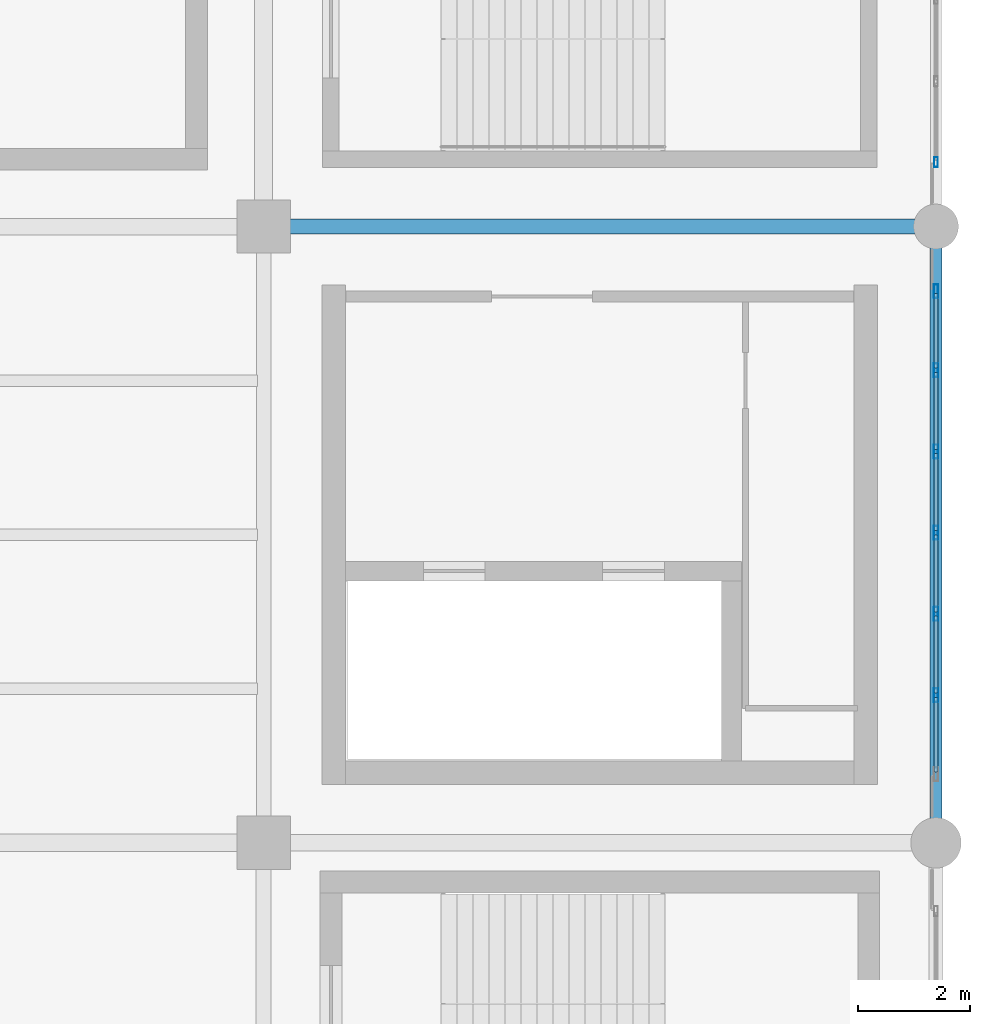
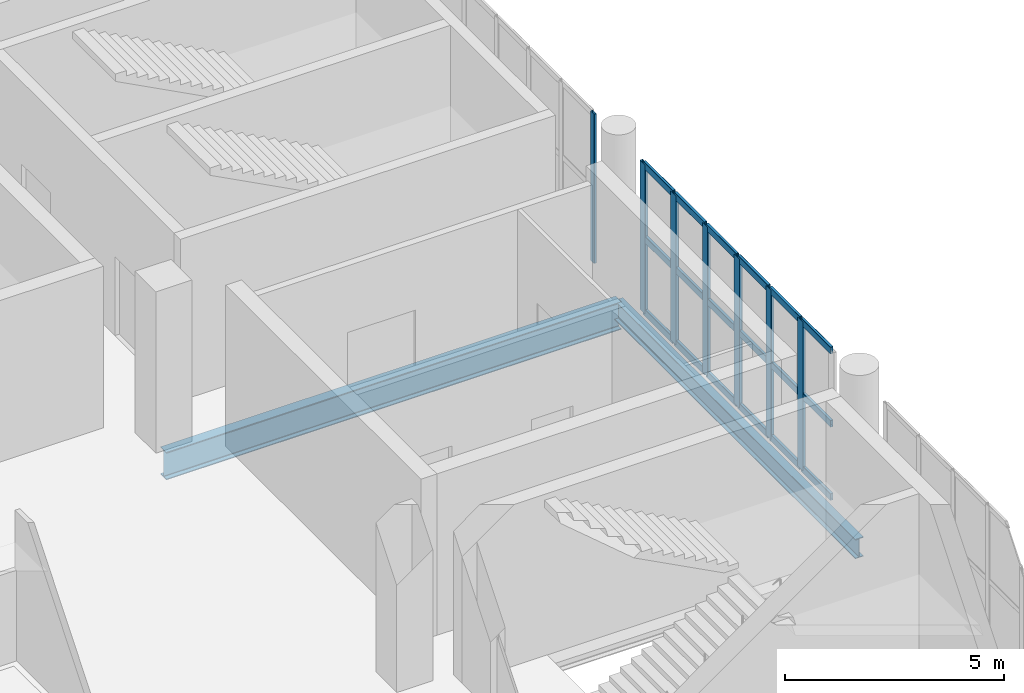
# One storey, part 43 of 90: 25 members, 2 beams, 2 elements without a shape of their own.
"""IFC4 building model written with IfcOpenShell, lengths in metres."""

from ifc_helpers import new_model, si_unit, direction, frame, origin, origin_2d, place, context, subcontext, project, spatial, hollow_rectangle, i_section, extrude, material, layer, layer_set, material_profile, profile_set, type_object, element, aggregate, save


model = new_model("IFC4")

# Units and contexts
model_context = context("Model", 3, precision=1e-05, world=origin(), true_north=direction((0.0, 1.0)))
body_context = subcontext(model_context, "Body", "Model", "MODEL_VIEW")
ifc_project = project(units=[si_unit("LENGTHUNIT", "METRE"), si_unit("AREAUNIT", "SQUARE_METRE"), si_unit("VOLUMEUNIT", "CUBIC_METRE"), si_unit("PLANEANGLEUNIT", "RADIAN"), si_unit("MASSUNIT", "GRAM", prefix="KILO")], contexts=[model_context])

# Site, building, storey
site_placement = place(None, origin())
site = spatial("IfcSite", under=ifc_project, at=site_placement, CompositionType="ELEMENT")
building_placement = place(site_placement, origin())
building = spatial("IfcBuilding", under=site, at=building_placement, Name="Brinegate Civic Arena", CompositionType="ELEMENT")
storey_placement = place(building_placement, frame((0.0, 0.0, 14.699951171875)))
storey = spatial("IfcBuildingStorey", under=building, at=storey_placement, Name="L03", CompositionType="ELEMENT", Elevation=14.699951171875)

# Curtain wall, member
ifc_material_1 = material(Name="Marine grade aluminium", Category="aluminium")
ifc_layer = layer(ifc_material_1, 0.199951171875, Name="Marine grade aluminium")
ifc_layer_set = layer_set([ifc_layer], Name="Marine grade aluminium")
curtain_wall_type = type_object("IfcCurtainWallType", Name="CW-BOWL-GLAZED-01", PredefinedType="USERDEFINED", material=ifc_layer_set)
curtain_wall_1_placement = place(storey_placement, origin())
curtain_wall_1 = element("IfcCurtainWall", 1, at=curtain_wall_1_placement, inside=storey, type_object=curtain_wall_type, Name="Curtain Wall CWA-120", ObjectType="GLAZED CURTAIN WALL", PredefinedType="USERDEFINED")
ifc_material_profile_1 = material_profile(ifc_material_1, hollow_rectangle(XDim=0.06494140625, YDim=0.179931640625, WallThickness=0.0048828125, InnerFilletRadius=0.00390625, OuterFilletRadius=0.008056640625, at=origin_2d()), Name="MUL65X180")
ifc_profile_set_1 = profile_set([ifc_material_profile_1], Name="Marine grade aluminium")
member_type_1 = type_object("IfcMemberType", Name="CW-MULLION-65X180", PredefinedType="MULLION", material=ifc_profile_set_1)
member_1_placement = place(storey_placement, frame((168.0, 94.1484375, 0.0), z_axis=(0.0, 0.0, 1.0), x_axis=(-1.0, 0.0, 0.0)))
member_1 = element("IfcMember", 2, at=member_1_placement, type_object=member_type_1, Name="CWA-120 mullion 1", PredefinedType="MULLION", context=body_context, shape_type="SweptSolid", body=[
    extrude(hollow_rectangle(XDim=0.06494140625, YDim=0.179931640625, WallThickness=0.0048828125, InnerFilletRadius=0.00390625, OuterFilletRadius=0.008056640625, at=origin_2d()), origin(), (0.0, 0.0, 1.0), 4.16015625),
])
aggregate(curtain_wall_1, [member_1])

# Curtain wall, members
curtain_wall_2_placement = place(storey_placement, origin())
curtain_wall_2 = element("IfcCurtainWall", 3, at=curtain_wall_2_placement, inside=storey, type_object=curtain_wall_type, Name="Curtain Wall CWA-118", ObjectType="GLAZED CURTAIN WALL", PredefinedType="USERDEFINED")
ifc_material_profile_2 = material_profile(ifc_material_1, hollow_rectangle(XDim=0.074951171875, YDim=0.25, WallThickness=0.006103515625, InnerFilletRadius=0.00390625, OuterFilletRadius=0.008056640625, at=origin_2d()), Name="MUL75X250")
ifc_profile_set_2 = profile_set([ifc_material_profile_2], Name="Marine grade aluminium")
member_type_2 = type_object("IfcMemberType", Name="CW-MULLION-75X250", PredefinedType="MULLION", material=ifc_profile_set_2)
member_2_placement = place(storey_placement, frame((168.0, 84.6357421875, 0.0), z_axis=(0.0, 0.0, 1.0), x_axis=(-1.0, 0.0, 0.0)))
member_2 = element("IfcMember", 4, at=member_2_placement, type_object=member_type_2, Name="CWA-118 mullion 2", PredefinedType="MULLION", context=body_context, shape_type="SweptSolid", body=[
    extrude(hollow_rectangle(XDim=0.074951171875, YDim=0.25, WallThickness=0.006103515625, InnerFilletRadius=0.00390625, OuterFilletRadius=0.008056640625, at=origin_2d()), origin(), (0.0, 0.0, 1.0), 4.16015625),
])
member_3_placement = place(storey_placement, frame((168.0, 86.08544921875, 0.0), z_axis=(0.0, 0.0, 1.0), x_axis=(-1.0, 0.0, 0.0)))
member_3 = element("IfcMember", 5, at=member_3_placement, type_object=member_type_2, Name="CWA-118 mullion 3", PredefinedType="MULLION", context=body_context, shape_type="SweptSolid", body=[
    extrude(hollow_rectangle(XDim=0.074951171875, YDim=0.25, WallThickness=0.006103515625, InnerFilletRadius=0.00390625, OuterFilletRadius=0.008056640625, at=origin_2d()), origin(), (0.0, 0.0, 1.0), 4.16015625),
])
member_4_placement = place(storey_placement, frame((168.0, 87.534912109375, 0.0), z_axis=(0.0, 0.0, 1.0), x_axis=(-1.0, 0.0, 0.0)))
member_4 = element("IfcMember", 6, at=member_4_placement, type_object=member_type_2, Name="CWA-118 mullion 4", PredefinedType="MULLION", context=body_context, shape_type="SweptSolid", body=[
    extrude(hollow_rectangle(XDim=0.074951171875, YDim=0.25, WallThickness=0.006103515625, InnerFilletRadius=0.00390625, OuterFilletRadius=0.008056640625, at=origin_2d()), origin(), (0.0, 0.0, 1.0), 4.16015625),
])
member_5_placement = place(storey_placement, frame((168.0, 88.984619140625, 0.0), z_axis=(0.0, 0.0, 1.0), x_axis=(-1.0, 0.0, 0.0)))
member_5 = element("IfcMember", 7, at=member_5_placement, type_object=member_type_2, Name="CWA-118 mullion 5", PredefinedType="MULLION", context=body_context, shape_type="SweptSolid", body=[
    extrude(hollow_rectangle(XDim=0.074951171875, YDim=0.25, WallThickness=0.006103515625, InnerFilletRadius=0.00390625, OuterFilletRadius=0.008056640625, at=origin_2d()), origin(), (0.0, 0.0, 1.0), 4.16015625),
])
member_6_placement = place(storey_placement, frame((168.0, 90.434326171875, 0.0), z_axis=(0.0, 0.0, 1.0), x_axis=(-1.0, 0.0, 0.0)))
member_6 = element("IfcMember", 8, at=member_6_placement, type_object=member_type_2, Name="CWA-118 mullion 6", PredefinedType="MULLION", context=body_context, shape_type="SweptSolid", body=[
    extrude(hollow_rectangle(XDim=0.074951171875, YDim=0.25, WallThickness=0.006103515625, InnerFilletRadius=0.00390625, OuterFilletRadius=0.008056640625, at=origin_2d()), origin(), (0.0, 0.0, 1.0), 4.16015625),
])
member_7_placement = place(storey_placement, frame((168.0, 91.846435546875, 0.0), z_axis=(0.0, 0.0, 1.0), x_axis=(-1.0, 0.0, 0.0)))
member_7 = element("IfcMember", 9, at=member_7_placement, type_object=member_type_2, Name="CWA-118 mullion 7", PredefinedType="MULLION", context=body_context, shape_type="SweptSolid", body=[
    extrude(hollow_rectangle(XDim=0.074951171875, YDim=0.25, WallThickness=0.006103515625, InnerFilletRadius=0.00390625, OuterFilletRadius=0.008056640625, at=origin_2d()), origin(), (0.0, 0.0, 1.0), 4.16015625),
])
ifc_material_profile_3 = material_profile(ifc_material_1, hollow_rectangle(XDim=0.074951171875, YDim=0.18994140625, WallThickness=0.006103515625, InnerFilletRadius=0.00390625, OuterFilletRadius=0.008056640625, at=origin_2d()), Name="TRN75X190")
ifc_profile_set_3 = profile_set([ifc_material_profile_3], Name="Marine grade aluminium")
member_type_3 = type_object("IfcMemberType", Name="CW-TRANSOM-75X190", PredefinedType="USERDEFINED", material=ifc_profile_set_3)
member_8_placement = place(storey_placement, frame((168.0, 83.260986328125, 0.03759765625), z_axis=(0.0, 1.0, 0.0), x_axis=(-1.0, 0.0, 0.0)))
member_8 = element("IfcMember", 10, at=member_8_placement, type_object=member_type_3, Name="CWA-118 transom 1.1", ObjectType="TRANSOM", PredefinedType="USERDEFINED", context=body_context, shape_type="SweptSolid", body=[
    extrude(hollow_rectangle(XDim=0.074951171875, YDim=0.18994140625, WallThickness=0.006103515625, InnerFilletRadius=0.00390625, OuterFilletRadius=0.008056640625, at=origin_2d()), origin(), (0.0, 0.0, 1.0), 1.337158203125),
])
member_9_placement = place(storey_placement, frame((168.0, 83.260986328125, 2.080078125), z_axis=(0.0, 1.0, 0.0), x_axis=(-1.0, 0.0, 0.0)))
member_9 = element("IfcMember", 11, at=member_9_placement, type_object=member_type_3, Name="CWA-118 transom 1.2", ObjectType="TRANSOM", PredefinedType="USERDEFINED", context=body_context, shape_type="SweptSolid", body=[
    extrude(hollow_rectangle(XDim=0.074951171875, YDim=0.18994140625, WallThickness=0.006103515625, InnerFilletRadius=0.00390625, OuterFilletRadius=0.008056640625, at=origin_2d()), origin(), (0.0, 0.0, 1.0), 1.337158203125),
])
member_10_placement = place(storey_placement, frame((168.0, 83.260986328125, 4.12255859375), z_axis=(0.0, 1.0, 0.0), x_axis=(-1.0, 0.0, 0.0)))
member_10 = element("IfcMember", 12, at=member_10_placement, type_object=member_type_3, Name="CWA-118 transom 1.3", ObjectType="TRANSOM", PredefinedType="USERDEFINED", context=body_context, shape_type="SweptSolid", body=[
    extrude(hollow_rectangle(XDim=0.074951171875, YDim=0.18994140625, WallThickness=0.006103515625, InnerFilletRadius=0.00390625, OuterFilletRadius=0.008056640625, at=origin_2d()), origin(), (0.0, 0.0, 1.0), 1.337158203125),
])
member_11_placement = place(storey_placement, frame((168.0, 84.673095703125, 0.03759765625), z_axis=(0.0, 1.0, 0.0), x_axis=(-1.0, 0.0, 0.0)))
member_11 = element("IfcMember", 13, at=member_11_placement, type_object=member_type_3, Name="CWA-118 transom 2.1", ObjectType="TRANSOM", PredefinedType="USERDEFINED", context=body_context, shape_type="SweptSolid", body=[
    extrude(hollow_rectangle(XDim=0.074951171875, YDim=0.18994140625, WallThickness=0.006103515625, InnerFilletRadius=0.00390625, OuterFilletRadius=0.008056640625, at=origin_2d()), origin(), (0.0, 0.0, 1.0), 1.374755859375),
])
member_12_placement = place(storey_placement, frame((168.0, 84.673095703125, 2.080078125), z_axis=(0.0, 1.0, 0.0), x_axis=(-1.0, 0.0, 0.0)))
member_12 = element("IfcMember", 14, at=member_12_placement, type_object=member_type_3, Name="CWA-118 transom 2.2", ObjectType="TRANSOM", PredefinedType="USERDEFINED", context=body_context, shape_type="SweptSolid", body=[
    extrude(hollow_rectangle(XDim=0.074951171875, YDim=0.18994140625, WallThickness=0.006103515625, InnerFilletRadius=0.00390625, OuterFilletRadius=0.008056640625, at=origin_2d()), origin(), (0.0, 0.0, 1.0), 1.374755859375),
])
member_13_placement = place(storey_placement, frame((168.0, 84.673095703125, 4.12255859375), z_axis=(0.0, 1.0, 0.0), x_axis=(-1.0, 0.0, 0.0)))
member_13 = element("IfcMember", 15, at=member_13_placement, type_object=member_type_3, Name="CWA-118 transom 2.3", ObjectType="TRANSOM", PredefinedType="USERDEFINED", context=body_context, shape_type="SweptSolid", body=[
    extrude(hollow_rectangle(XDim=0.074951171875, YDim=0.18994140625, WallThickness=0.006103515625, InnerFilletRadius=0.00390625, OuterFilletRadius=0.008056640625, at=origin_2d()), origin(), (0.0, 0.0, 1.0), 1.374755859375),
])
member_14_placement = place(storey_placement, frame((168.0, 86.122802734375, 0.03759765625), z_axis=(0.0, 1.0, 0.0), x_axis=(-1.0, 0.0, 0.0)))
member_14 = element("IfcMember", 16, at=member_14_placement, type_object=member_type_3, Name="CWA-118 transom 3.1", ObjectType="TRANSOM", PredefinedType="USERDEFINED", context=body_context, shape_type="SweptSolid", body=[
    extrude(hollow_rectangle(XDim=0.074951171875, YDim=0.18994140625, WallThickness=0.006103515625, InnerFilletRadius=0.00390625, OuterFilletRadius=0.008056640625, at=origin_2d()), origin(), (0.0, 0.0, 1.0), 1.374755859375),
])
member_15_placement = place(storey_placement, frame((168.0, 86.122802734375, 2.080078125), z_axis=(0.0, 1.0, 0.0), x_axis=(-1.0, 0.0, 0.0)))
member_15 = element("IfcMember", 17, at=member_15_placement, type_object=member_type_3, Name="CWA-118 transom 3.2", ObjectType="TRANSOM", PredefinedType="USERDEFINED", context=body_context, shape_type="SweptSolid", body=[
    extrude(hollow_rectangle(XDim=0.074951171875, YDim=0.18994140625, WallThickness=0.006103515625, InnerFilletRadius=0.00390625, OuterFilletRadius=0.008056640625, at=origin_2d()), origin(), (0.0, 0.0, 1.0), 1.374755859375),
])
member_16_placement = place(storey_placement, frame((168.0, 86.122802734375, 4.12255859375), z_axis=(0.0, 1.0, 0.0), x_axis=(-1.0, 0.0, 0.0)))
member_16 = element("IfcMember", 18, at=member_16_placement, type_object=member_type_3, Name="CWA-118 transom 3.3", ObjectType="TRANSOM", PredefinedType="USERDEFINED", context=body_context, shape_type="SweptSolid", body=[
    extrude(hollow_rectangle(XDim=0.074951171875, YDim=0.18994140625, WallThickness=0.006103515625, InnerFilletRadius=0.00390625, OuterFilletRadius=0.008056640625, at=origin_2d()), origin(), (0.0, 0.0, 1.0), 1.374755859375),
])
member_17_placement = place(storey_placement, frame((168.0, 87.572509765625, 0.03759765625), z_axis=(0.0, 1.0, 0.0), x_axis=(-1.0, 0.0, 0.0)))
member_17 = element("IfcMember", 19, at=member_17_placement, type_object=member_type_3, Name="CWA-118 transom 4.1", ObjectType="TRANSOM", PredefinedType="USERDEFINED", context=body_context, shape_type="SweptSolid", body=[
    extrude(hollow_rectangle(XDim=0.074951171875, YDim=0.18994140625, WallThickness=0.006103515625, InnerFilletRadius=0.00390625, OuterFilletRadius=0.008056640625, at=origin_2d()), origin(), (0.0, 0.0, 1.0), 1.374755859375),
])
member_18_placement = place(storey_placement, frame((168.0, 87.572509765625, 2.080078125), z_axis=(0.0, 1.0, 0.0), x_axis=(-1.0, 0.0, 0.0)))
member_18 = element("IfcMember", 20, at=member_18_placement, type_object=member_type_3, Name="CWA-118 transom 4.2", ObjectType="TRANSOM", PredefinedType="USERDEFINED", context=body_context, shape_type="SweptSolid", body=[
    extrude(hollow_rectangle(XDim=0.074951171875, YDim=0.18994140625, WallThickness=0.006103515625, InnerFilletRadius=0.00390625, OuterFilletRadius=0.008056640625, at=origin_2d()), origin(), (0.0, 0.0, 1.0), 1.374755859375),
])
member_19_placement = place(storey_placement, frame((168.0, 87.572509765625, 4.12255859375), z_axis=(0.0, 1.0, 0.0), x_axis=(-1.0, 0.0, 0.0)))
member_19 = element("IfcMember", 21, at=member_19_placement, type_object=member_type_3, Name="CWA-118 transom 4.3", ObjectType="TRANSOM", PredefinedType="USERDEFINED", context=body_context, shape_type="SweptSolid", body=[
    extrude(hollow_rectangle(XDim=0.074951171875, YDim=0.18994140625, WallThickness=0.006103515625, InnerFilletRadius=0.00390625, OuterFilletRadius=0.008056640625, at=origin_2d()), origin(), (0.0, 0.0, 1.0), 1.374755859375),
])
member_20_placement = place(storey_placement, frame((168.0, 89.022216796875, 0.03759765625), z_axis=(0.0, 1.0, 0.0), x_axis=(-1.0, 0.0, 0.0)))
member_20 = element("IfcMember", 22, at=member_20_placement, type_object=member_type_3, Name="CWA-118 transom 5.1", ObjectType="TRANSOM", PredefinedType="USERDEFINED", context=body_context, shape_type="SweptSolid", body=[
    extrude(hollow_rectangle(XDim=0.074951171875, YDim=0.18994140625, WallThickness=0.006103515625, InnerFilletRadius=0.00390625, OuterFilletRadius=0.008056640625, at=origin_2d()), origin(), (0.0, 0.0, 1.0), 1.37451171875),
])
member_21_placement = place(storey_placement, frame((168.0, 89.022216796875, 2.080078125), z_axis=(0.0, 1.0, 0.0), x_axis=(-1.0, 0.0, 0.0)))
member_21 = element("IfcMember", 23, at=member_21_placement, type_object=member_type_3, Name="CWA-118 transom 5.2", ObjectType="TRANSOM", PredefinedType="USERDEFINED", context=body_context, shape_type="SweptSolid", body=[
    extrude(hollow_rectangle(XDim=0.074951171875, YDim=0.18994140625, WallThickness=0.006103515625, InnerFilletRadius=0.00390625, OuterFilletRadius=0.008056640625, at=origin_2d()), origin(), (0.0, 0.0, 1.0), 1.37451171875),
])
member_22_placement = place(storey_placement, frame((168.0, 89.022216796875, 4.12255859375), z_axis=(0.0, 1.0, 0.0), x_axis=(-1.0, 0.0, 0.0)))
member_22 = element("IfcMember", 24, at=member_22_placement, type_object=member_type_3, Name="CWA-118 transom 5.3", ObjectType="TRANSOM", PredefinedType="USERDEFINED", context=body_context, shape_type="SweptSolid", body=[
    extrude(hollow_rectangle(XDim=0.074951171875, YDim=0.18994140625, WallThickness=0.006103515625, InnerFilletRadius=0.00390625, OuterFilletRadius=0.008056640625, at=origin_2d()), origin(), (0.0, 0.0, 1.0), 1.37451171875),
])
member_23_placement = place(storey_placement, frame((168.0, 90.471923828125, 0.03759765625), z_axis=(0.0, 1.0, 0.0), x_axis=(-1.0, 0.0, 0.0)))
member_23 = element("IfcMember", 25, at=member_23_placement, type_object=member_type_3, Name="CWA-118 transom 6.1", ObjectType="TRANSOM", PredefinedType="USERDEFINED", context=body_context, shape_type="SweptSolid", body=[
    extrude(hollow_rectangle(XDim=0.074951171875, YDim=0.18994140625, WallThickness=0.006103515625, InnerFilletRadius=0.00390625, OuterFilletRadius=0.008056640625, at=origin_2d()), origin(), (0.0, 0.0, 1.0), 1.337158203125),
])
member_24_placement = place(storey_placement, frame((168.0, 90.471923828125, 2.080078125), z_axis=(0.0, 1.0, 0.0), x_axis=(-1.0, 0.0, 0.0)))
member_24 = element("IfcMember", 26, at=member_24_placement, type_object=member_type_3, Name="CWA-118 transom 6.2", ObjectType="TRANSOM", PredefinedType="USERDEFINED", context=body_context, shape_type="SweptSolid", body=[
    extrude(hollow_rectangle(XDim=0.074951171875, YDim=0.18994140625, WallThickness=0.006103515625, InnerFilletRadius=0.00390625, OuterFilletRadius=0.008056640625, at=origin_2d()), origin(), (0.0, 0.0, 1.0), 1.337158203125),
])
member_25_placement = place(storey_placement, frame((168.0, 90.471923828125, 4.12255859375), z_axis=(0.0, 1.0, 0.0), x_axis=(-1.0, 0.0, 0.0)))
member_25 = element("IfcMember", 27, at=member_25_placement, type_object=member_type_3, Name="CWA-118 transom 6.3", ObjectType="TRANSOM", PredefinedType="USERDEFINED", context=body_context, shape_type="SweptSolid", body=[
    extrude(hollow_rectangle(XDim=0.074951171875, YDim=0.18994140625, WallThickness=0.006103515625, InnerFilletRadius=0.00390625, OuterFilletRadius=0.008056640625, at=origin_2d()), origin(), (0.0, 0.0, 1.0), 1.337158203125),
])
aggregate(curtain_wall_2, [member_2, member_3, member_4, member_5, member_6, member_7, member_8, member_9, member_10, member_11, member_12, member_13, member_14, member_15, member_16, member_17, member_18, member_19, member_20, member_21, member_22, member_23, member_24, member_25])

# Beams
ifc_material_2 = material(Name="Steel S355", Category="steel")
ifc_material_profile_4 = material_profile(ifc_material_2, i_section(OverallWidth=0.26806640625, OverallDepth=0.77001953125, WebThickness=0.01611328125, FlangeThickness=0.02490234375, FilletRadius=0.02001953125, at=origin_2d()), Name="W760X196")
ifc_profile_set_4 = profile_set([ifc_material_profile_4], Name="Steel S355")
beam_type_1 = type_object("IfcBeamType", Name="GIRDER-W760X196", PredefinedType="BEAM", material=ifc_profile_set_4)
beam_1_placement = place(storey_placement, frame((156.0, 93.0, -0.73486328125), z_axis=(1.0, 0.0, 0.0), x_axis=(0.0, 1.0, 0.0)))
element("IfcBeam", 28, at=beam_1_placement, inside=storey, type_object=beam_type_1, Name="Floor Girder BM-L03-GX-13-09", PredefinedType="BEAM", context=body_context, shape_type="SweptSolid", body=[
    extrude(i_section(OverallWidth=0.26806640625, OverallDepth=0.77001953125, WebThickness=0.01611328125, FlangeThickness=0.02490234375, FilletRadius=0.02001953125, at=origin_2d()), origin(), (0.0, 0.0, 1.0), 12.0),
])
ifc_material_profile_5 = material_profile(ifc_material_2, i_section(OverallWidth=0.2119140625, OverallDepth=0.5439453125, WebThickness=0.012939453125, FlangeThickness=0.02099609375, FilletRadius=0.01611328125, at=origin_2d()), Name="W530X123")
ifc_profile_set_5 = profile_set([ifc_material_profile_5], Name="Steel S355")
beam_type_2 = type_object("IfcBeamType", Name="SPANDREL-W530X123", PredefinedType="SPANDREL", material=ifc_profile_set_5)
beam_2_placement = place(storey_placement, frame((168.0, 82.0, -0.6220703125), z_axis=(0.0, 1.0, 0.0), x_axis=(-1.0, 0.0, 0.0)))
element("IfcBeam", 29, at=beam_2_placement, inside=storey, type_object=beam_type_2, Name="Floor Girder BM-L03-GY-14-08", PredefinedType="SPANDREL", context=body_context, shape_type="SweptSolid", body=[
    extrude(i_section(OverallWidth=0.2119140625, OverallDepth=0.5439453125, WebThickness=0.012939453125, FlangeThickness=0.02099609375, FilletRadius=0.01611328125, at=origin_2d()), origin(), (0.0, 0.0, 1.0), 11.0),
])

save(model, "model.ifc")
